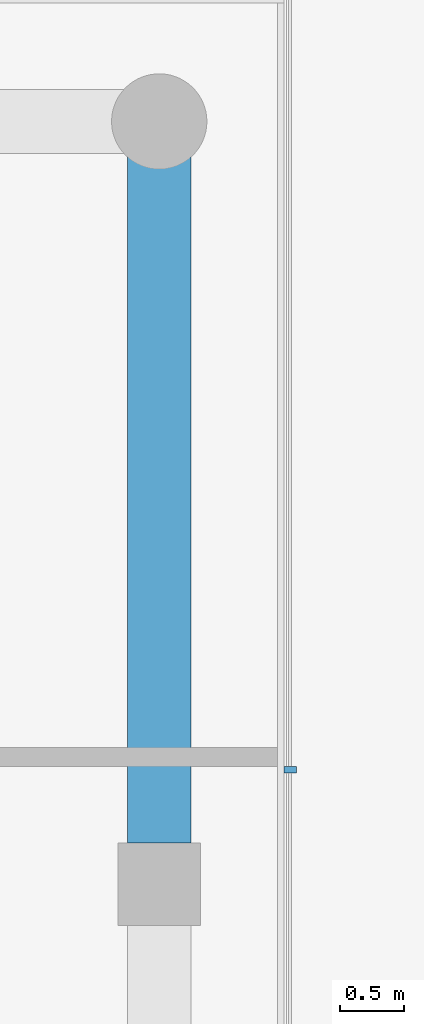
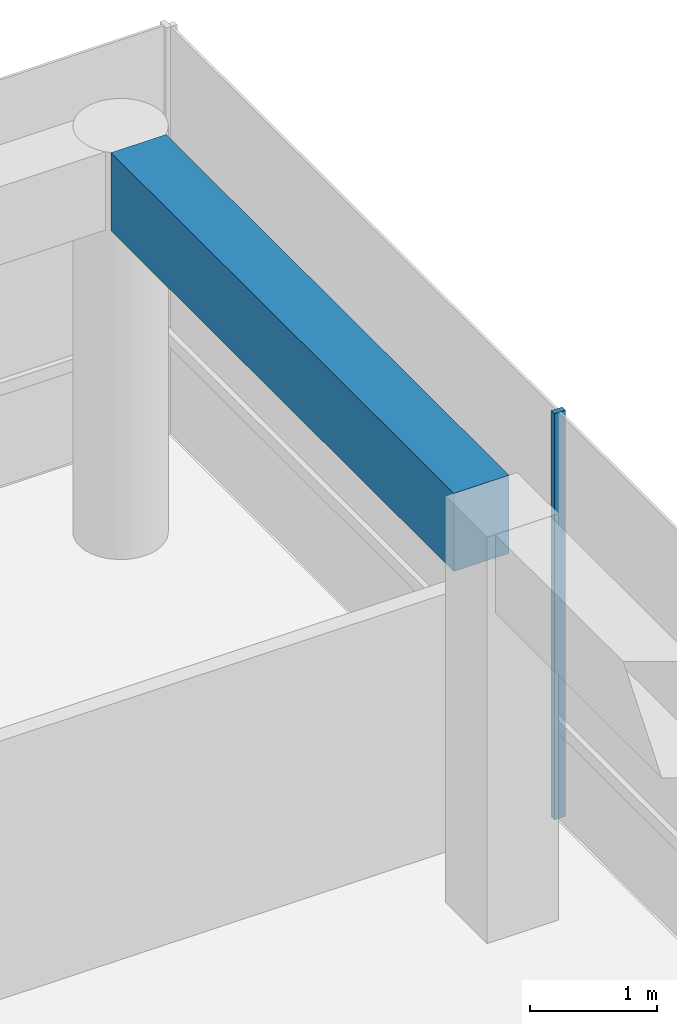
# One storey, part 13 of 21: 1 beam, 1 member, 1 element without a shape of its own.
"""IFC4 building model written with IfcOpenShell, lengths in metres."""

from ifc_helpers import new_model, si_unit, direction, frame, origin, origin_2d, place, context, subcontext, project, spatial, rectangle, extrude, material, layer, layer_set, material_profile, profile_set, type_object, element, aggregate, save


model = new_model("IFC4")

# Units and contexts
model_context = context("Model", 3, precision=1e-05, world=origin(), true_north=direction((0.0, 1.0)))
body_context = subcontext(model_context, "Body", "Model", "MODEL_VIEW")
ifc_project = project(units=[si_unit("LENGTHUNIT", "METRE"), si_unit("AREAUNIT", "SQUARE_METRE"), si_unit("VOLUMEUNIT", "CUBIC_METRE"), si_unit("PLANEANGLEUNIT", "RADIAN"), si_unit("MASSUNIT", "GRAM", prefix="KILO")], contexts=[model_context])

# Site, building, storey
site_placement = place(None, origin())
site = spatial("IfcSite", under=ifc_project, at=site_placement, CompositionType="ELEMENT")
building_placement = place(site_placement, origin())
building = spatial("IfcBuilding", under=site, at=building_placement, Name="Welwitschia Terrace Campus", CompositionType="ELEMENT")
storey_placement = place(building_placement, frame((0.0, 0.0, 331.39990234375)))
storey = spatial("IfcBuildingStorey", under=building, at=storey_placement, Name="L74", CompositionType="ELEMENT", Elevation=331.39990234375)

# Curtain wall, member
ifc_material_1 = material(Name="Bronze anodised aluminium", Category="aluminium")
ifc_layer = layer(ifc_material_1, 0.10009765625)
ifc_layer_set = layer_set([ifc_layer], Name="Bronze anodised aluminium")
curtain_wall_type = type_object("IfcCurtainWallType", Name="Curtain wall CW5 crown 6000", PredefinedType="NOTDEFINED", material=ifc_layer_set)
curtain_wall_placement = place(storey_placement, origin())
curtain_wall = element("IfcCurtainWall", 1, at=curtain_wall_placement, inside=storey, type_object=curtain_wall_type, Name="CW L74.7.0", PredefinedType="NOTDEFINED")
ifc_material_2 = material(Name="Bronze anodised aluminium", Category="aluminium")
ifc_material_profile_1 = material_profile(ifc_material_2, rectangle(XDim=0.10009765625, YDim=0.050048828125, at=origin_2d()))
ifc_profile_set_1 = profile_set([ifc_material_profile_1], Name="Bronze anodised aluminium")
member_type = type_object("IfcMemberType", Name="Mullion 50x100", PredefinedType="MULLION", material=ifc_profile_set_1)
member_placement = place(storey_placement, frame((25.030029296875, 38.9013671875, 0.0), z_axis=(0.0, 0.0, 1.0), x_axis=(-1.0, 0.0, 0.0)))
member = element("IfcMember", 2, at=member_placement, type_object=member_type, Name="Mullion L74.7.0.3", PredefinedType="MULLION", context=body_context, shape_type="SweptSolid", body=[
    extrude(rectangle(XDim=0.10009765625, YDim=0.050048828125, at=origin_2d()), origin(), (0.0, 0.0, 1.0), 3.900146484375),
])
aggregate(curtain_wall, [member])

# Beam
ifc_material_3 = material(Name="Concrete C40/50", Category="concrete")
ifc_material_profile_2 = material_profile(ifc_material_3, rectangle(XDim=0.5, YDim=0.75, at=origin_2d()))
ifc_profile_set_2 = profile_set([ifc_material_profile_2], Name="Concrete C40/50")
beam_type = type_object("IfcBeamType", Name="Ring spandrel 500x750", PredefinedType="SPANDREL", material=ifc_profile_set_2)
beam_placement = place(storey_placement, frame((24.0, 38.325439453125, 3.525146484375), z_axis=(0.0, 1.0, 0.0), x_axis=(-1.0, 0.0, 0.0)))
element("IfcBeam", 3, at=beam_placement, inside=storey, type_object=beam_type, Name="Spandrel SP5", PredefinedType="SPANDREL", context=body_context, shape_type="SweptSolid", body=[
    extrude(rectangle(XDim=0.5, YDim=0.75, at=origin_2d()), origin(), (0.0, 0.0, 1.0), 5.39404296875),
])

save(model, "model.ifc")
